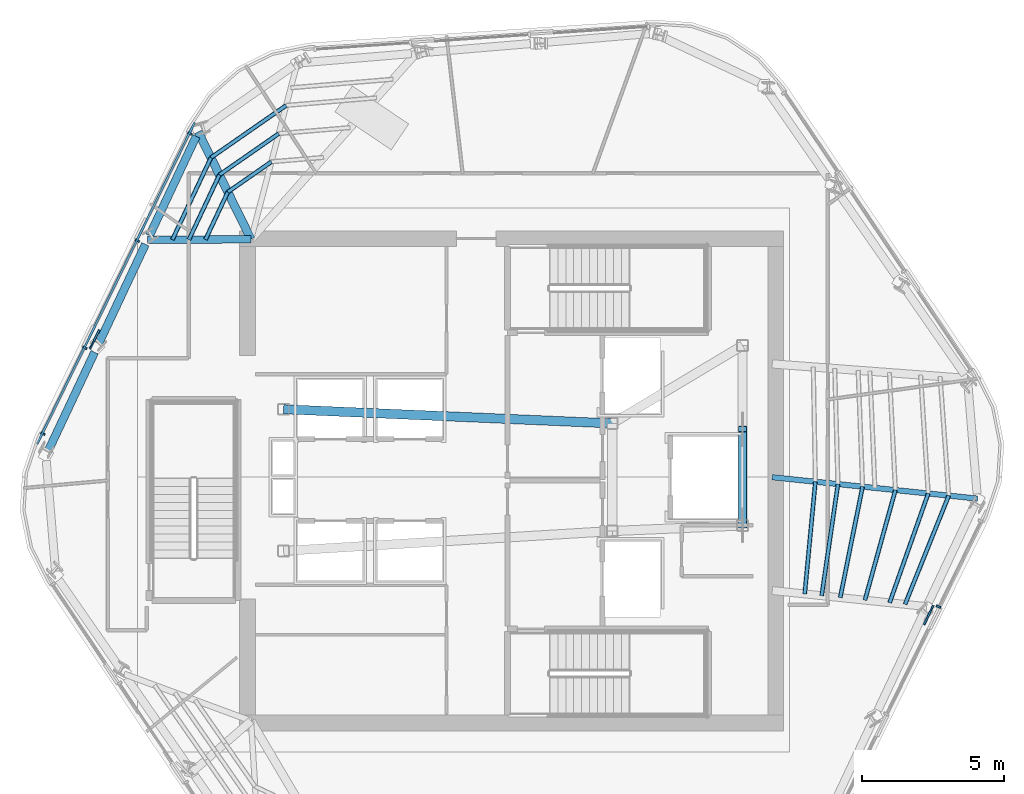
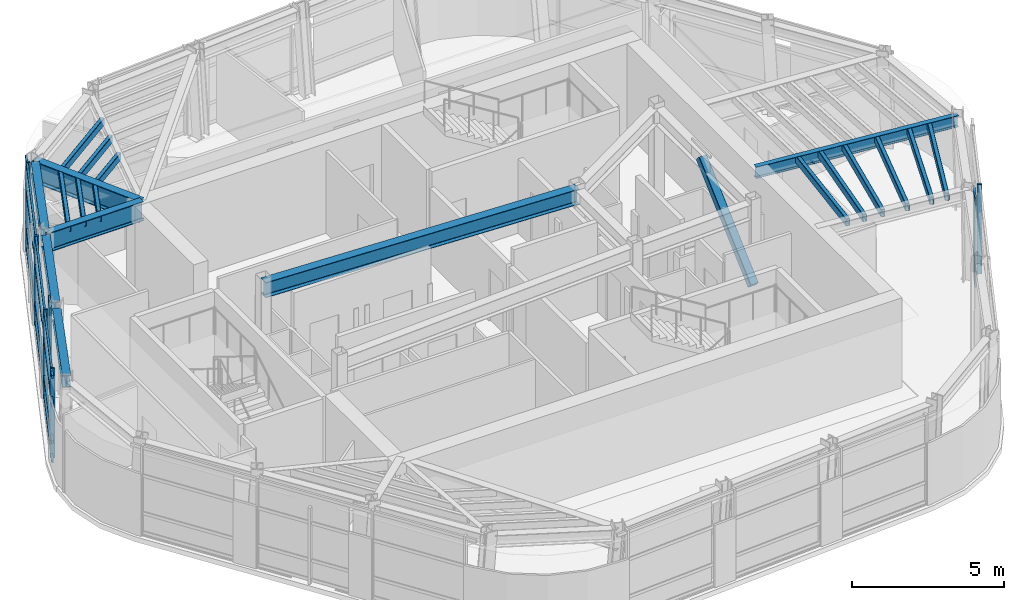
# One storey, part 3 of 14: 24 members, 7 beams, 2 elements without a shape of their own.
"""IFC4 building model written with IfcOpenShell, lengths in metres."""

from ifc_helpers import new_model, si_unit, direction, frame, origin, origin_2d, place, context, subcontext, project, spatial, rectangle, hollow_rectangle, i_section, extrude, material, layer, layer_set, material_profile, profile_set, type_object, element, aggregate, save


model = new_model("IFC4")

# Units and contexts
model_context = context("Model", 3, precision=1e-05, world=origin(), true_north=direction((0.0, 1.0)))
body_context = subcontext(model_context, "Body", "Model", "MODEL_VIEW")
ifc_project = project(units=[si_unit("LENGTHUNIT", "METRE"), si_unit("AREAUNIT", "SQUARE_METRE"), si_unit("VOLUMEUNIT", "CUBIC_METRE"), si_unit("PLANEANGLEUNIT", "RADIAN"), si_unit("MASSUNIT", "GRAM", prefix="KILO")], contexts=[model_context])

# Site, building, storey
site_placement = place(None, origin())
site = spatial("IfcSite", under=ifc_project, at=site_placement, CompositionType="ELEMENT")
building_placement = place(site_placement, origin())
building = spatial("IfcBuilding", under=site, at=building_placement, Name="Valkerne Bourse Tower", CompositionType="ELEMENT")
storey_placement = place(building_placement, frame((0.0, 0.0, 300.199951171875)))
storey = spatial("IfcBuildingStorey", under=building, at=storey_placement, Name="L76", CompositionType="ELEMENT", Elevation=300.199951171875)

# Beams
ifc_material_1 = material(Name="Steel ASTM A992", Category="steel")
ifc_material_profile_1 = material_profile(ifc_material_1, i_section(OverallWidth=0.284423828125, OverallDepth=0.47509765625, WebThickness=0.014892578125, FlangeThickness=0.02392578125, FilletRadius=0.017822265625, at=origin_2d()), Name="W18X106")
ifc_profile_set_1 = profile_set([ifc_material_profile_1], Name="Steel ASTM A992")
beam_type_1 = type_object("IfcBeamType", Name="BM-W18X106", PredefinedType="BEAM", material=ifc_profile_set_1)
beam_1_placement = place(storey_placement, frame((35.665283203125, 39.0341796875, 3.362548828125), z_axis=(-0.425748449303, -0.904841565091, 0.0), x_axis=(0.904841565091, -0.425748449303, 0.0)))
element("IfcBeam", 1, at=beam_1_placement, inside=storey, type_object=beam_type_1, Name="L76 Hexagonal Spandrel Ring Beam 04", PredefinedType="BEAM", context=body_context, shape_type="SweptSolid", body=[
    extrude(i_section(OverallWidth=0.284423828125, OverallDepth=0.47509765625, WebThickness=0.014892578125, FlangeThickness=0.02392578125, FilletRadius=0.017822265625, at=origin_2d()), origin(), (0.0, 0.0, 1.0), 3.871826171875),
])
beam_2_placement = place(storey_placement, frame((33.8720703125, 35.22314453125, 3.362548828125), z_axis=(-0.42577578144, -0.904828704197, 0.0), x_axis=(0.904828704197, -0.42577578144, 0.0)))
element("IfcBeam", 2, at=beam_2_placement, inside=storey, type_object=beam_type_1, Name="L76 Hexagonal Spandrel Ring Beam 05", PredefinedType="BEAM", context=body_context, shape_type="SweptSolid", body=[
    extrude(i_section(OverallWidth=0.284423828125, OverallDepth=0.47509765625, WebThickness=0.014892578125, FlangeThickness=0.02392578125, FilletRadius=0.017822265625, at=origin_2d()), origin(), (0.0, 0.0, 1.0), 3.8720703125),
])
beam_3_placement = place(storey_placement, frame((32.07861328125, 31.411865234375, 3.362548828125), z_axis=(-0.425748449303, -0.904841565091, 0.0), x_axis=(0.904841565091, -0.425748449303, 0.0)))
element("IfcBeam", 3, at=beam_3_placement, inside=storey, type_object=beam_type_1, Name="L76 Hexagonal Spandrel Ring Beam 06", PredefinedType="BEAM", context=body_context, shape_type="SweptSolid", body=[
    extrude(i_section(OverallWidth=0.284423828125, OverallDepth=0.47509765625, WebThickness=0.014892578125, FlangeThickness=0.02392578125, FilletRadius=0.017822265625, at=origin_2d()), origin(), (0.0, 0.0, 1.0), 3.871826171875),
])
ifc_material_profile_2 = material_profile(ifc_material_1, i_section(OverallWidth=0.1904296875, OverallDepth=0.457275390625, WebThickness=0.009033203125, FlangeThickness=0.014404296875, FilletRadius=0.01513671875, at=origin_2d()), Name="W18X50")
ifc_profile_set_2 = profile_set([ifc_material_profile_2], Name="Steel ASTM A992")
beam_type_2 = type_object("IfcBeamType", Name="BM-W18X50", PredefinedType="JOIST", material=ifc_profile_set_2)
beam_4_placement = place(storey_placement, frame((63.2421875, 26.245361328125, 3.371337890625), z_axis=(-0.994614953187, 0.103639253651, 0.0), x_axis=(-0.103639253651, -0.994614953187, 0.0)))
element("IfcBeam", 4, at=beam_4_placement, inside=storey, type_object=beam_type_2, Name="L76 Radial Composite Floor Beam 19", PredefinedType="JOIST", context=body_context, shape_type="SweptSolid", body=[
    extrude(i_section(OverallWidth=0.1904296875, OverallDepth=0.457275390625, WebThickness=0.009033203125, FlangeThickness=0.014404296875, FilletRadius=0.01513671875, at=origin_2d()), origin(), (0.0, 0.0, 1.0), 7.281494140625),
])
ifc_material_profile_3 = material_profile(ifc_material_1, i_section(OverallWidth=0.3251953125, OverallDepth=0.612060546875, WebThickness=0.0126953125, FlangeThickness=0.01904296875, FilletRadius=0.020263671875, at=origin_2d()), Name="W24X104")
ifc_profile_set_3 = profile_set([ifc_material_profile_3], Name="Steel ASTM A992")
beam_type_3 = type_object("IfcBeamType", Name="BM-W24X104", PredefinedType="BEAM", material=ifc_profile_set_3)
beam_5_placement = place(storey_placement, frame((38.75, 29.39990234375, 3.2939453125), z_axis=(0.999072354402, -0.043063101019, 0.0), x_axis=(0.043063101019, 0.999072354402, 0.0)))
element("IfcBeam", 5, at=beam_5_placement, inside=storey, type_object=beam_type_3, Name="L76 Core Frame Girder CG-NW", PredefinedType="BEAM", context=body_context, shape_type="SweptSolid", body=[
    extrude(i_section(OverallWidth=0.3251953125, OverallDepth=0.612060546875, WebThickness=0.0126953125, FlangeThickness=0.01904296875, FilletRadius=0.020263671875, at=origin_2d()), origin(), (0.0, 0.0, 1.0), 11.61083984375),
])
ifc_material_profile_4 = material_profile(ifc_material_1, i_section(OverallWidth=0.26806640625, OverallDepth=0.76953125, WebThickness=0.015625, FlangeThickness=0.025390625, FilletRadius=0.025390625, at=origin_2d()), Name="W30X132")
ifc_profile_set_4 = profile_set([ifc_material_profile_4], Name="Steel ASTM A992")
beam_type_4 = type_object("IfcBeamType", Name="BM-W30X132", PredefinedType="BEAM", material=ifc_profile_set_4)
beam_6_placement = place(storey_placement, frame((33.944580078125, 35.376953125, 3.21533203125), z_axis=(0.999980294148, 0.006277843295, 0.0), x_axis=(-0.006277843295, 0.999980294148, 0.0)))
element("IfcBeam", 6, at=beam_6_placement, inside=storey, type_object=beam_type_4, Name="L76 Radial Composite Floor Beam 05", PredefinedType="BEAM", context=body_context, shape_type="SweptSolid", body=[
    extrude(i_section(OverallWidth=0.26806640625, OverallDepth=0.76953125, WebThickness=0.015625, FlangeThickness=0.025390625, FilletRadius=0.025390625, at=origin_2d()), origin(), (0.0, 0.0, 1.0), 3.655517578125),
])
ifc_material_profile_5 = material_profile(ifc_material_1, i_section(OverallWidth=0.2919921875, OverallDepth=0.8583984375, WebThickness=0.01708984375, FlangeThickness=0.031005859375, FilletRadius=0.025390625, at=origin_2d()), Name="W33X169")
ifc_profile_set_5 = profile_set([ifc_material_profile_5], Name="Steel ASTM A992")
beam_type_5 = type_object("IfcBeamType", Name="BM-W33X169", PredefinedType="BEAM", material=ifc_profile_set_5)
beam_7_placement = place(storey_placement, frame((35.73779296875, 39.18798828125, 3.170654296875), z_axis=(0.441188329301, -0.897414540828, 0.0), x_axis=(0.897414540828, 0.441188329301, 0.0)))
element("IfcBeam", 7, at=beam_7_placement, inside=storey, type_object=beam_type_5, Name="L76 Radial Composite Floor Beam 04", PredefinedType="BEAM", context=body_context, shape_type="SweptSolid", body=[
    extrude(i_section(OverallWidth=0.2919921875, OverallDepth=0.8583984375, WebThickness=0.01708984375, FlangeThickness=0.031005859375, FilletRadius=0.025390625, at=origin_2d()), origin(), (0.0, 0.0, 1.0), 4.22119140625),
])

# Curtain wall, members
ifc_material_2 = material(Name="Aluminium AA 6063-T6", Category="aluminium")
ifc_layer = layer(ifc_material_2, 0.2451171875)
ifc_layer_set = layer_set([ifc_layer], Name="Aluminium AA 6063-T6")
curtain_wall_type = type_object("IfcCurtainWallType", Name="CW-05", PredefinedType="NOTDEFINED", material=ifc_layer_set)
curtain_wall_1_placement = place(storey_placement, origin())
curtain_wall_1 = element("IfcCurtainWall", 8, at=curtain_wall_1_placement, inside=storey, type_object=curtain_wall_type, Name="L76 Hexagonal Stick Curtain Wall Face 2", PredefinedType="NOTDEFINED")
ifc_material_profile_6 = material_profile(ifc_material_2, rectangle(XDim=0.074951171875, YDim=0.159912109375, at=origin_2d()), Name="CWM-75X160")
ifc_profile_set_6 = profile_set([ifc_material_profile_6], Name="Aluminium AA 6063-T6")
member_type_1 = type_object("IfcMemberType", Name="CW-MUL-160X75", PredefinedType="MULLION", material=ifc_profile_set_6)
member_1_placement = place(storey_placement, frame((35.4404296875, 39.1328125, 0.0), z_axis=(0.0, 0.0, 1.0), x_axis=(-0.439933879731, -0.898030167347, 0.0)))
member_1 = element("IfcMember", 9, at=member_1_placement, type_object=member_type_1, Name="CW-L76-F2 Jamb Mullion 00A", PredefinedType="MULLION", context=body_context, shape_type="SweptSolid", body=[
    extrude(rectangle(XDim=0.074951171875, YDim=0.159912109375, at=origin_2d()), origin(), (0.0, 0.0, 1.0), 3.60009765625),
])
member_2_placement = place(storey_placement, frame((33.58740234375, 35.35009765625, 0.0), z_axis=(0.0, 0.0, 1.0), x_axis=(-0.439933879731, -0.898030167347, 0.0)))
member_2 = element("IfcMember", 10, at=member_2_placement, type_object=member_type_1, Name="CW-L76-F2 Jamb Mullion 01A", PredefinedType="MULLION", context=body_context, shape_type="SweptSolid", body=[
    extrude(rectangle(XDim=0.074951171875, YDim=0.159912109375, at=origin_2d()), origin(), (0.0, 0.0, 1.0), 3.60009765625),
])
member_3_placement = place(storey_placement, frame((31.734619140625, 31.567626953125, 0.0), z_axis=(0.0, 0.0, 1.0), x_axis=(-0.439933879731, -0.898030167347, 0.0)))
member_3 = element("IfcMember", 11, at=member_3_placement, type_object=member_type_1, Name="CW-L76-F2 Jamb Mullion 02A", PredefinedType="MULLION", context=body_context, shape_type="SweptSolid", body=[
    extrude(rectangle(XDim=0.074951171875, YDim=0.159912109375, at=origin_2d()), origin(), (0.0, 0.0, 1.0), 3.60009765625),
])
member_4_placement = place(storey_placement, frame((30.2509765625, 28.53955078125, 0.0), z_axis=(0.0, 0.0, 1.0), x_axis=(-0.439933879731, -0.898030167347, 0.0)))
member_4 = element("IfcMember", 12, at=member_4_placement, type_object=member_type_1, Name="CW-L76-F2 Jamb Mullion 02B", PredefinedType="MULLION", context=body_context, shape_type="SweptSolid", body=[
    extrude(rectangle(XDim=0.074951171875, YDim=0.159912109375, at=origin_2d()), origin(), (0.0, 0.0, 1.0), 3.60009765625),
])

# Curtain wall, member
curtain_wall_2_placement = place(storey_placement, origin())
curtain_wall_2 = element("IfcCurtainWall", 13, at=curtain_wall_2_placement, inside=storey, type_object=curtain_wall_type, Name="L76 Hexagonal Stick Curtain Wall Face 5", PredefinedType="NOTDEFINED")
member_5_placement = place(storey_placement, frame((61.865478515625, 22.432373046875, 0.0), z_axis=(0.0, 0.0, 1.0), x_axis=(0.439933879731, 0.898030167347, 0.0)))
member_5 = element("IfcMember", 14, at=member_5_placement, type_object=member_type_1, Name="CW-L76-F5 Jamb Mullion 02A", PredefinedType="MULLION", context=body_context, shape_type="SweptSolid", body=[
    extrude(rectangle(XDim=0.074951171875, YDim=0.159912109375, at=origin_2d()), origin(), (0.0, 0.0, 1.0), 3.60009765625),
])
aggregate(curtain_wall_2, [member_5])

# Member
ifc_material_profile_7 = material_profile(ifc_material_2, rectangle(XDim=0.074951171875, YDim=0.1201171875, at=origin_2d()), Name="CWT-75X120")
ifc_profile_set_7 = profile_set([ifc_material_profile_7], Name="Aluminium AA 6063-T6")
member_type_2 = type_object("IfcMemberType", Name="CW-TRN-120X75", PredefinedType="USERDEFINED", material=ifc_profile_set_7)
member_6_placement = place(storey_placement, frame((35.607421875, 39.518798828125, 0.1201171875), z_axis=(-0.439934229877, -0.898029995814, 0.0), x_axis=(0.898029995814, -0.439934229877, 0.0)))
member_6 = element("IfcMember", 15, at=member_6_placement, type_object=member_type_2, Name="CW-L76-F2 Continuous Face Transom 1", ObjectType="TRANSOM", PredefinedType="USERDEFINED", context=body_context, shape_type="SweptSolid", body=[
    extrude(rectangle(XDim=0.074951171875, YDim=0.1201171875, at=origin_2d()), origin(), (0.0, 0.0, 1.0), 12.63623046875),
])

member_7_placement = place(storey_placement, frame((35.607421875, 39.518798828125, 0.900146484375), z_axis=(-0.439934229877, -0.898029995814, 0.0), x_axis=(0.898029995814, -0.439934229877, 0.0)))
member_7 = element("IfcMember", 16, at=member_7_placement, type_object=member_type_2, Name="CW-L76-F2 Continuous Face Transom 2", ObjectType="TRANSOM", PredefinedType="USERDEFINED", context=body_context, shape_type="SweptSolid", body=[
    extrude(rectangle(XDim=0.074951171875, YDim=0.1201171875, at=origin_2d()), origin(), (0.0, 0.0, 1.0), 12.63623046875),
])

member_8_placement = place(storey_placement, frame((35.607421875, 39.518798828125, 2.400146484375), z_axis=(-0.439934229877, -0.898029995814, 0.0), x_axis=(0.898029995814, -0.439934229877, 0.0)))
member_8 = element("IfcMember", 17, at=member_8_placement, type_object=member_type_2, Name="CW-L76-F2 Continuous Face Transom 3", ObjectType="TRANSOM", PredefinedType="USERDEFINED", context=body_context, shape_type="SweptSolid", body=[
    extrude(rectangle(XDim=0.074951171875, YDim=0.1201171875, at=origin_2d()), origin(), (0.0, 0.0, 1.0), 12.63623046875),
])

member_9_placement = place(storey_placement, frame((35.607421875, 39.518798828125, 3.52001953125), z_axis=(-0.439934229877, -0.898029995814, 0.0), x_axis=(0.898029995814, -0.439934229877, 0.0)))
member_9 = element("IfcMember", 18, at=member_9_placement, type_object=member_type_2, Name="CW-L76-F2 Continuous Face Transom 4", ObjectType="TRANSOM", PredefinedType="USERDEFINED", context=body_context, shape_type="SweptSolid", body=[
    extrude(rectangle(XDim=0.074951171875, YDim=0.1201171875, at=origin_2d()), origin(), (0.0, 0.0, 1.0), 12.63623046875),
])

aggregate(curtain_wall_1, [member_6, member_7, member_8, member_9, member_1, member_2, member_3, member_4])

# Members
ifc_material_3 = material(Name="Bronze Anodised Aluminium AA 6063-T6", Category="aluminium")
ifc_material_profile_8 = material_profile(ifc_material_3, rectangle(XDim=0.06494140625, YDim=0.75, at=origin_2d()), Name="FIN-65X750")
ifc_profile_set_8 = profile_set([ifc_material_profile_8], Name="Bronze Anodised Aluminium AA 6063-T6")
member_type_3 = type_object("IfcMemberType", Name="FIN-SOLAR-650", PredefinedType="USERDEFINED", material=ifc_profile_set_8)
for number, where, z_axis, x_axis, name in (
    (19, (32.080810546875, 31.86572265625, 0.004150390625), (0.0, 0.0, 1.0), (-0.894055810501, 0.44795558676, 0.0), "L76 Bronze Anodised Solar Fin F2-02"),
    (20, (61.51904296875, 22.13427734375, 0.004150390625), (0.0, 0.0, 1.0), (0.901932553095, -0.431876914951, 0.0), "L76 Bronze Anodised Solar Fin F5-02"),
):
    element("IfcMember", number, at=place(storey_placement, frame(where, z_axis=z_axis, x_axis=x_axis)), inside=storey, type_object=member_type_3, Name=name, ObjectType="SOLAR_FIN", PredefinedType="USERDEFINED", context=body_context, shape_type="SweptSolid", body=[
        extrude(rectangle(XDim=0.06494140625, YDim=0.75, at=origin_2d()), origin(), (0.0, 0.0, 1.0), 3.591796875),
    ])
ifc_material_4 = material(Name="Steel ASTM A500 Grade C", Category="steel")
ifc_material_profile_9 = material_profile(ifc_material_4, hollow_rectangle(XDim=0.14990234375, YDim=0.300048828125, WallThickness=0.012451171875, OuterFilletRadius=0.02490234375, at=origin_2d()), Name="HSS300X150X12.5")
ifc_profile_set_9 = profile_set([ifc_material_profile_9], Name="Steel ASTM A500 Grade C")
member_type_4 = type_object("IfcMemberType", Name="MBR-HSS300X150X12.5", PredefinedType="PURLIN", material=ifc_profile_set_9)
member_10_placement = place(storey_placement, frame((57.74365234375, 22.819091796875, 3.43994140625), z_axis=(0.144116734663, 0.989560693838, 0.0), x_axis=(-0.989560693838, 0.144116734663, 0.0)))
element("IfcMember", 21, at=member_10_placement, inside=storey, type_object=member_type_4, Name="L76 Secondary Composite Floor Purlin I-18", PredefinedType="PURLIN", context=body_context, shape_type="SweptSolid", body=[
    extrude(hollow_rectangle(XDim=0.14990234375, YDim=0.300048828125, WallThickness=0.012451171875, OuterFilletRadius=0.02490234375, at=origin_2d()), origin(), (0.0, 0.0, 1.0), 3.98095703125),
])
member_11_placement = place(storey_placement, frame((38.318359375, 38.135498046875, 3.43994140625), z_axis=(-0.82114426346, -0.57072068351, 0.0), x_axis=(0.57072068351, -0.82114426346, 0.0)))
element("IfcMember", 22, at=member_11_placement, inside=storey, type_object=member_type_4, Name="L76 Secondary Composite Floor Purlin K-03", PredefinedType="PURLIN", context=body_context, shape_type="SweptSolid", body=[
    extrude(hollow_rectangle(XDim=0.14990234375, YDim=0.300048828125, WallThickness=0.012451171875, OuterFilletRadius=0.02490234375, at=origin_2d()), origin(), (0.0, 0.0, 1.0), 1.872802734375),
])
member_12_placement = place(storey_placement, frame((36.780517578125, 37.066650390625, 3.43994140625), z_axis=(-0.425689168744, -0.904869455565, 0.0), x_axis=(0.904869455565, -0.425689168744, 0.0)))
element("IfcMember", 23, at=member_12_placement, inside=storey, type_object=member_type_4, Name="L76 Secondary Composite Floor Purlin K-04", PredefinedType="PURLIN", context=body_context, shape_type="SweptSolid", body=[
    extrude(hollow_rectangle(XDim=0.14990234375, YDim=0.300048828125, WallThickness=0.012451171875, OuterFilletRadius=0.02490234375, at=origin_2d()), origin(), (0.0, 0.0, 1.0), 1.85302734375),
])
member_13_placement = place(storey_placement, frame((58.3974609375, 22.751220703125, 3.43994140625), z_axis=(0.197490800979, 0.980304740134, 0.0), x_axis=(-0.980304740134, 0.197490800979, 0.0)))
element("IfcMember", 24, at=member_13_placement, inside=storey, type_object=member_type_4, Name="L76 Secondary Composite Floor Purlin K-18", PredefinedType="PURLIN", context=body_context, shape_type="SweptSolid", body=[
    extrude(hollow_rectangle(XDim=0.14990234375, YDim=0.300048828125, WallThickness=0.012451171875, OuterFilletRadius=0.02490234375, at=origin_2d()), origin(), (0.0, 0.0, 1.0), 3.995361328125),
])
member_14_placement = place(storey_placement, frame((38.840576171875, 40.124755859375, 3.43994140625), z_axis=(-0.821128229224, -0.570743752635, 0.0), x_axis=(0.570743752635, -0.821128229224, 0.0)))
element("IfcMember", 25, at=member_14_placement, inside=storey, type_object=member_type_4, Name="L76 Secondary Composite Floor Purlin O-03", PredefinedType="PURLIN", context=body_context, shape_type="SweptSolid", body=[
    extrude(hollow_rectangle(XDim=0.14990234375, YDim=0.300048828125, WallThickness=0.012451171875, OuterFilletRadius=0.02490234375, at=origin_2d()), origin(), (0.0, 0.0, 1.0), 3.234375),
])
member_15_placement = place(storey_placement, frame((36.184814453125, 38.27880859375, 3.43994140625), z_axis=(-0.425793363457, -0.904820430603, 0.0), x_axis=(0.904820430603, -0.425793363457, 0.0)))
element("IfcMember", 26, at=member_15_placement, inside=storey, type_object=member_type_4, Name="L76 Secondary Composite Floor Purlin O-04", PredefinedType="PURLIN", context=body_context, shape_type="SweptSolid", body=[
    extrude(hollow_rectangle(XDim=0.14990234375, YDim=0.300048828125, WallThickness=0.012451171875, OuterFilletRadius=0.02490234375, at=origin_2d()), origin(), (0.0, 0.0, 1.0), 3.201171875),
])
member_16_placement = place(storey_placement, frame((60.14111328125, 22.570068359375, 3.43994140625), z_axis=(0.33324157799, 0.942841476972, 0.0), x_axis=(-0.942841476972, 0.33324157799, 0.0)))
element("IfcMember", 27, at=member_16_placement, inside=storey, type_object=member_type_4, Name="L76 Secondary Composite Floor Purlin O-18", PredefinedType="PURLIN", context=body_context, shape_type="SweptSolid", body=[
    extrude(hollow_rectangle(XDim=0.14990234375, YDim=0.300048828125, WallThickness=0.012451171875, OuterFilletRadius=0.02490234375, at=origin_2d()), origin(), (0.0, 0.0, 1.0), 4.09033203125),
])
member_17_placement = place(storey_placement, frame((38.579345703125, 39.130126953125, 3.43994140625), z_axis=(-0.821140941336, -0.570725463302, 0.0), x_axis=(0.570725463302, -0.821140941336, 0.0)))
element("IfcMember", 28, at=member_17_placement, inside=storey, type_object=member_type_4, Name="L76 Secondary Composite Floor Purlin Z-03", PredefinedType="PURLIN", context=body_context, shape_type="SweptSolid", body=[
    extrude(hollow_rectangle(XDim=0.14990234375, YDim=0.300048828125, WallThickness=0.012451171875, OuterFilletRadius=0.02490234375, at=origin_2d()), origin(), (0.0, 0.0, 1.0), 2.553466796875),
])
member_18_placement = place(storey_placement, frame((36.482666015625, 37.6728515625, 3.43994140625), z_axis=(-0.42571794826, -0.904855915895, 0.0), x_axis=(0.904855915895, -0.42571794826, 0.0)))
element("IfcMember", 29, at=member_18_placement, inside=storey, type_object=member_type_4, Name="L76 Secondary Composite Floor Purlin Z-04", PredefinedType="PURLIN", context=body_context, shape_type="SweptSolid", body=[
    extrude(hollow_rectangle(XDim=0.14990234375, YDim=0.300048828125, WallThickness=0.012451171875, OuterFilletRadius=0.02490234375, at=origin_2d()), origin(), (0.0, 0.0, 1.0), 2.52734375),
])
member_19_placement = place(storey_placement, frame((59.269287109375, 22.66064453125, 3.43994140625), z_axis=(0.266860051909, 0.963735291818, 0.0), x_axis=(-0.963735291818, 0.266860051909, 0.0)))
element("IfcMember", 30, at=member_19_placement, inside=storey, type_object=member_type_4, Name="L76 Secondary Composite Floor Purlin Z-18", PredefinedType="PURLIN", context=body_context, shape_type="SweptSolid", body=[
    extrude(hollow_rectangle(XDim=0.14990234375, YDim=0.300048828125, WallThickness=0.012451171875, OuterFilletRadius=0.02490234375, at=origin_2d()), origin(), (0.0, 0.0, 1.0), 4.03271484375),
])
member_20_placement = place(storey_placement, frame((57.144287109375, 22.881103515625, 3.43994140625), z_axis=(0.094690355804, 0.995506773718, 0.0), x_axis=(-0.995506773718, 0.094690355804, 0.0)))
element("IfcMember", 31, at=member_20_placement, inside=storey, type_object=member_type_4, Name="L76 Secondary Composite Floor Purlin S-18", PredefinedType="PURLIN", context=body_context, shape_type="SweptSolid", body=[
    extrude(hollow_rectangle(XDim=0.14990234375, YDim=0.300048828125, WallThickness=0.012451171875, OuterFilletRadius=0.02490234375, at=origin_2d()), origin(), (0.0, 0.0, 1.0), 3.978271484375),
])
member_21_placement = place(storey_placement, frame((60.68603515625, 22.513427734375, 3.43994140625), z_axis=(0.372937094067, 0.92785662894, 0.0), x_axis=(-0.92785662894, 0.372937094067, 0.0)))
element("IfcMember", 32, at=member_21_placement, inside=storey, type_object=member_type_4, Name="L76 Secondary Composite Floor Purlin T-18", PredefinedType="PURLIN", context=body_context, shape_type="SweptSolid", body=[
    extrude(hollow_rectangle(XDim=0.14990234375, YDim=0.300048828125, WallThickness=0.012451171875, OuterFilletRadius=0.02490234375, at=origin_2d()), origin(), (0.0, 0.0, 1.0), 4.135986328125),
])
ifc_material_profile_10 = material_profile(ifc_material_4, hollow_rectangle(XDim=0.300048828125, YDim=0.300048828125, WallThickness=0.012451171875, OuterFilletRadius=0.02490234375, at=origin_2d()), Name="HSS300X300X12.5")
ifc_profile_set_10 = profile_set([ifc_material_profile_10], Name="Steel ASTM A500 Grade C")
member_type_5 = type_object("IfcMemberType", Name="MBR-HSS300X300X12.5", PredefinedType="STRUT", material=ifc_profile_set_10)
member_22_placement = place(storey_placement, frame((54.949951171875, 25.300048828125, 0.219970703125), z_axis=(0.0, 0.741766660352, 0.670658051163), x_axis=(-1.0, 0.0, 0.0)))
element("IfcMember", 33, at=member_22_placement, inside=storey, type_object=member_type_5, Name="L76 Core Service Pier Lateral Brace", PredefinedType="STRUT", context=body_context, shape_type="SweptSolid", body=[
    extrude(hollow_rectangle(XDim=0.300048828125, YDim=0.300048828125, WallThickness=0.012451171875, OuterFilletRadius=0.02490234375, at=origin_2d()), origin(), (0.0, 0.0, 1.0), 4.58349609375),
])

save(model, "model.ifc")
